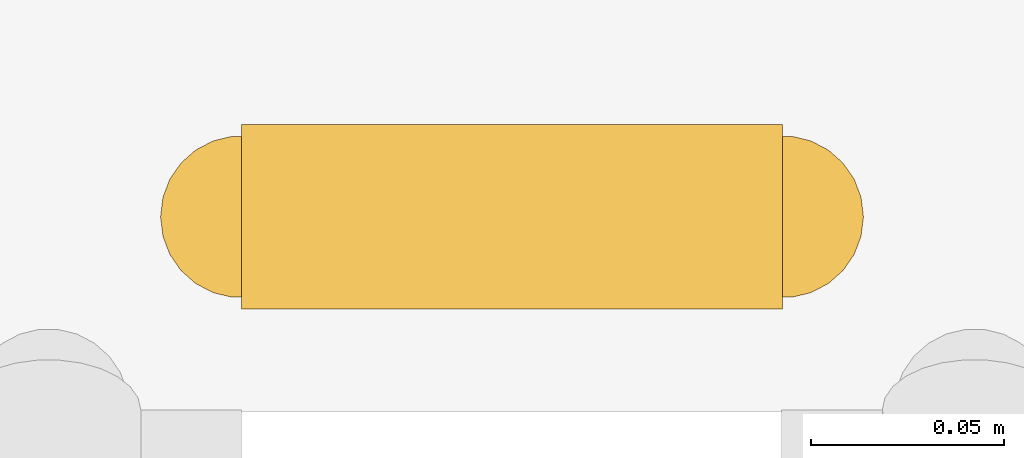
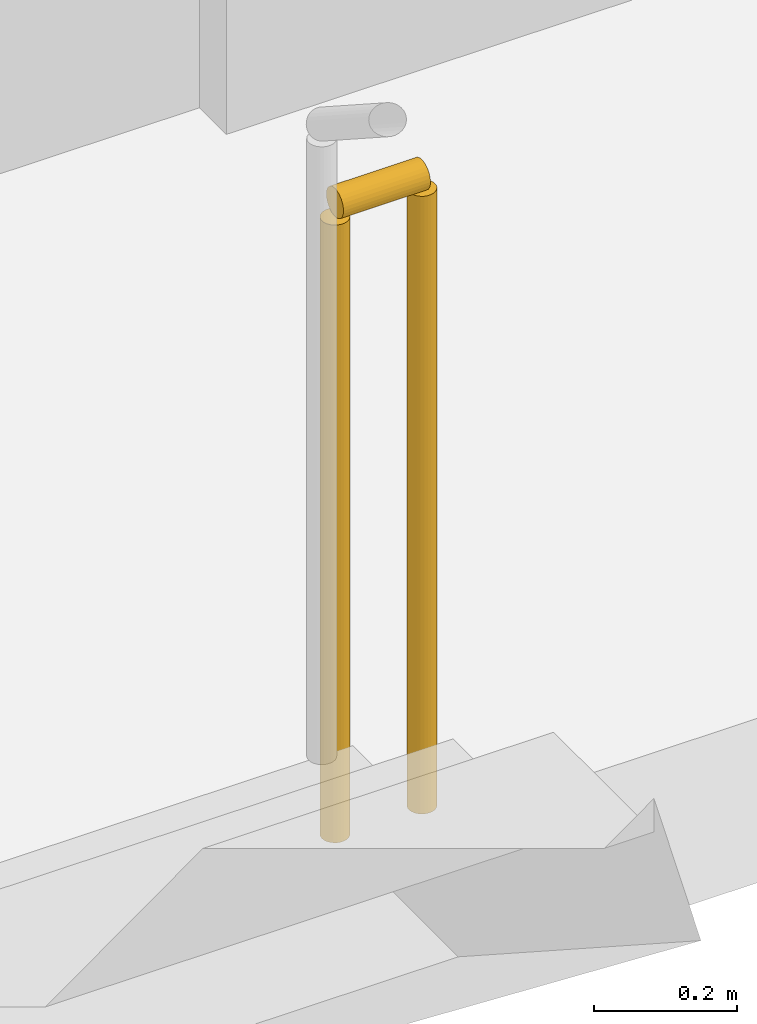
# One storey, part 11 of 14: 1 railing.
"""IFC4 building model written with IfcOpenShell, lengths in metres."""

import ifcopenshell
import ifcopenshell.guid

model = None  # the IFC model being written
_history = None  # IfcOwnerHistory: only IFC2X3 demands one
_inside = {}  # id of a spatial element -> (the spatial element, [elements in it])
_under = {}  # id of a project, library or spatial element -> (it, [spatial elements below it])
_declared = {}  # id of a project -> (the project, [libraries it declares])
_typed = {}  # id of a type object -> (the type object, [elements of that type])
_made_of = {}  # id of a material, layer set ... -> (it, [elements and type objects made of it])


def new_model(schema):
    """Start an empty IFC model of exactly this schema.

    Asked for "IFC4X3", IfcOpenShell would pick the latest addendum, in which some entities
    have other attributes; the version numbers below select the first issue.
    IFC2X3 requires an IfcOwnerHistory on every rooted entity: one is made here for all.
    """
    global model, _history
    if schema == "IFC4X3":
        model = ifcopenshell.file(schema_version=(4, 3, 0, 0))
    else:
        model = ifcopenshell.file(schema=schema)
    _inside.clear()
    _under.clear()
    _declared.clear()
    _typed.clear()
    _made_of.clear()
    _history = None
    if model.schema == "IFC2X3":
        org = make("IfcOrganization", Name="unknown")
        user = make(
            "IfcPersonAndOrganization",
            ThePerson=make("IfcPerson", FamilyName="unknown"),
            TheOrganization=org,
        )
        app = make(
            "IfcApplication",
            ApplicationDeveloper=org,
            Version="unknown",
            ApplicationFullName="unknown",
            ApplicationIdentifier="unknown",
        )
        _history = make(
            "IfcOwnerHistory",
            OwningUser=user,
            OwningApplication=app,
            ChangeAction="ADDED",
            CreationDate=0,
        )
    return model


def make(cls, **values):
    """One entity of the class cls with the attributes given. An attribute that is None is left unset."""
    return model.create_entity(
        cls, **{name: value for name, value in values.items() if value is not None}
    )


def rooted(cls, **values):
    """An entity with a GlobalId (a new one), such as an element, a storey or a relation."""
    return make(cls, GlobalId=ifcopenshell.guid.new(), OwnerHistory=_history, **values)


def si_unit(unit_type, name, prefix=None):
    """IfcSIUnit, for example si_unit("LENGTHUNIT", "METRE", prefix="MILLI")."""
    return make("IfcSIUnit", UnitType=unit_type, Prefix=prefix, Name=name)


def assignment(units):
    """IfcUnitAssignment: the units of a project."""
    return None if units is None else make("IfcUnitAssignment", Units=units)


def point(xyz):
    """IfcCartesianPoint."""
    return None if xyz is None else make("IfcCartesianPoint", Coordinates=xyz)


def direction(xyz):
    """IfcDirection."""
    return None if xyz is None else make("IfcDirection", DirectionRatios=xyz)


def frame(location, z_axis=None, x_axis=None):
    """IfcAxis2Placement3D, a coordinate frame: its origin and axes. An axis left out is left unset."""
    return make(
        "IfcAxis2Placement3D",
        Location=point(location),
        Axis=direction(z_axis),
        RefDirection=direction(x_axis),
    )


def frame_2d(location, x_axis=None):
    """IfcAxis2Placement2D, a coordinate frame in the plane: its origin and x axis."""
    return make(
        "IfcAxis2Placement2D", Location=point(location), RefDirection=direction(x_axis)
    )


def origin():
    """The frame at (0, 0, 0) with its axes left unset."""
    return frame((0.0, 0.0, 0.0))


def origin_2d():
    """The frame at (0, 0) in the plane with its x axis left unset."""
    return frame_2d((0.0, 0.0))


def place(relative_to, where):
    """IfcLocalPlacement: puts the frame where relative to a parent placement (None: the world)."""
    return make(
        "IfcLocalPlacement", PlacementRelTo=relative_to, RelativePlacement=where
    )


def context(
    kind, dimensions, precision=None, world=None, true_north=None, identifier=None
):
    """IfcGeometricRepresentationContext, for example the 3D "Model" context."""
    return make(
        "IfcGeometricRepresentationContext",
        ContextIdentifier=identifier,
        ContextType=kind,
        CoordinateSpaceDimension=dimensions,
        Precision=precision,
        WorldCoordinateSystem=world,
        TrueNorth=true_north,
    )


def subcontext(parent, identifier, kind, view, scale=None):
    """IfcGeometricRepresentationSubContext, for example "Body" below "Model"."""
    return make(
        "IfcGeometricRepresentationSubContext",
        ContextIdentifier=identifier,
        ContextType=kind,
        ParentContext=parent,
        TargetScale=scale,
        TargetView=view,
    )


def project(units=None, contexts=None):
    """IfcProject with its units and contexts."""
    return rooted(
        "IfcProject",
        Name="project",
        RepresentationContexts=contexts,
        UnitsInContext=assignment(units),
    )


def spatial(cls, under=None, at=None, **own):
    """A site, building, storey or space (cls), placed at a placement, below another one or the project."""
    s = rooted(cls, ObjectPlacement=at, **own)
    if under is not None:
        _under.setdefault(under.id(), (under, []))[1].append(s)
    return s


def profile(cls, at=None, kind="AREA", **sizes):
    """A parametric profile (cls). Its sizes go by their IFC names, for example OverallWidth=200.0."""
    return make(cls, ProfileType=kind, Position=at, **sizes)


def circle(**sizes):
    """IfcCircleProfileDef."""
    return profile("IfcCircleProfileDef", **sizes)


def extrude(swept, where, along, depth):
    """IfcExtrudedAreaSolid: the profile swept, set in the frame where, extruded along a direction by depth."""
    return make(
        "IfcExtrudedAreaSolid",
        SweptArea=swept,
        Position=where,
        ExtrudedDirection=direction(along),
        Depth=depth,
    )


def shape(context_of_items, identifier, shape_type, items):
    """IfcShapeRepresentation: the items that make up one representation, for example the "Body"."""
    return make(
        "IfcShapeRepresentation",
        ContextOfItems=context_of_items,
        RepresentationIdentifier=identifier,
        RepresentationType=shape_type,
        Items=items,
    )


def material(Name=None, Category=None):
    """IfcMaterial."""
    return make("IfcMaterial", Name=Name, Category=Category)


def made_of(thing, what):
    """Note that an element or type object is made of a material, layer set ...; save() writes the relation."""
    if what is not None:
        _made_of.setdefault(what.id(), (what, []))[1].append(thing)
    return thing


def type_object(cls, material=None, **own):
    """A type object (cls), such as IfcWallType, which elements share."""
    return made_of(rooted(cls, **own), material)


def element(
    cls,
    number,
    at=None,
    inside=None,
    cuts=None,
    type_object=None,
    material=None,
    context=None,
    identifier="Body",
    shape_type=None,
    held_by="IfcProductDefinitionShape",
    body=None,
    shapes=None,
    **own,
):
    """One element of the class cls, such as IfcWall. Its Tag is "e" and its number.

    at: its placement. inside: the storey or other place that contains it. cuts: it is an
    opening in that element (IfcRelVoidsElement). A single representation is given by context,
    identifier, shape_type and body (its items); several are given by shapes. held_by: the class
    of the entity that holds the representations. save() writes the other relations.
    """
    e = rooted(cls, Tag="e%d" % number, ObjectPlacement=at, **own)
    if body is not None:
        shapes = [shape(context, identifier, shape_type, body)]
    if shapes is not None:
        e.Representation = make(held_by, Representations=shapes)
    if inside is not None:
        _inside.setdefault(inside.id(), (inside, []))[1].append(e)
    if cuts is not None:
        rooted(
            "IfcRelVoidsElement", RelatingBuildingElement=cuts, RelatedOpeningElement=e
        )
    if type_object is not None:
        _typed.setdefault(type_object.id(), (type_object, []))[1].append(e)
    return made_of(e, material)


def aggregate(whole, parts):
    """IfcRelAggregates: a whole, such as a stair, and the parts it consists of."""
    return rooted("IfcRelAggregates", RelatingObject=whole, RelatedObjects=parts)


def save(model, path):
    """Write the relations noted so far, then the file.

    IfcRelAggregates (storeys below a building ...), IfcRelContainedInSpatialStructure (elements
    in a storey), IfcRelDefinesByType, IfcRelAssociatesMaterial and IfcRelDeclares: one each for
    every whole, place, type object, material and project.
    """
    for whole, parts in _under.values():
        aggregate(whole, parts)
    for where, things in _inside.values():
        rooted(
            "IfcRelContainedInSpatialStructure",
            RelatedElements=things,
            RelatingStructure=where,
        )
    for kind, things in _typed.values():
        rooted("IfcRelDefinesByType", RelatedObjects=things, RelatingType=kind)
    for what, things in _made_of.values():
        rooted("IfcRelAssociatesMaterial", RelatedObjects=things, RelatingMaterial=what)
    for by, libraries in _declared.values():
        rooted("IfcRelDeclares", RelatingContext=by, RelatedDefinitions=libraries)
    model.write(path)


model = new_model("IFC4")

# Units and contexts
model_context = context("Model", 3, precision=1e-05, world=origin(), true_north=direction((0.0, 1.0)))
body_context = subcontext(model_context, "Body", "Model", "MODEL_VIEW")
ifc_project = project(units=[si_unit("LENGTHUNIT", "METRE"), si_unit("AREAUNIT", "SQUARE_METRE"), si_unit("VOLUMEUNIT", "CUBIC_METRE"), si_unit("PLANEANGLEUNIT", "RADIAN"), si_unit("MASSUNIT", "GRAM", prefix="KILO")], contexts=[model_context])

# Site, building, storey
site_placement = place(None, origin())
site = spatial("IfcSite", under=ifc_project, at=site_placement, CompositionType="ELEMENT")
building_placement = place(site_placement, origin())
building = spatial("IfcBuilding", under=site, at=building_placement, Name="Varnakote Quay Hospital", CompositionType="ELEMENT")
storey_placement = place(building_placement, frame((0.0, 0.0, 97.550048828125)))
storey = spatial("IfcBuildingStorey", under=building, at=storey_placement, Name="L24", CompositionType="ELEMENT", Elevation=97.550048828125)

# Railing
ifc_material = material(Name="Brushed stainless steel balustrade", Category="steel")
railing_type = type_object("IfcRailingType", Name="RLG-STAIR-GUARD-1150", PredefinedType="GUARDRAIL", material=ifc_material)
railing_placement = place(storey_placement, frame((21.97998046875, 9.550048828125, 0.0)))
element("IfcRailing", 1, at=railing_placement, inside=storey, type_object=railing_type, Name="L24 ST-02 stair guard 4", PredefinedType="GUARDRAIL", context=body_context, shape_type="SweptSolid", body=[
    extrude(circle(Radius=0.02392578125, at=origin_2d()), frame((0.0, 0.0, 1.076171875), z_axis=(1.0, 0.0, 0.0), x_axis=(0.0, 1.0, 0.0)), (0.0, 0.0, 1.0), 0.14013671875),
    extrude(circle(Radius=0.02099609375, at=origin_2d()), origin(), (0.0, 0.0, 1.0), 1.052001953125),
    extrude(circle(Radius=0.02099609375, at=origin_2d()), frame((0.14013671875, 0.0, 0.0)), (0.0, 0.0, 1.0), 1.052001953125),
])

save(model, "model.ifc")
